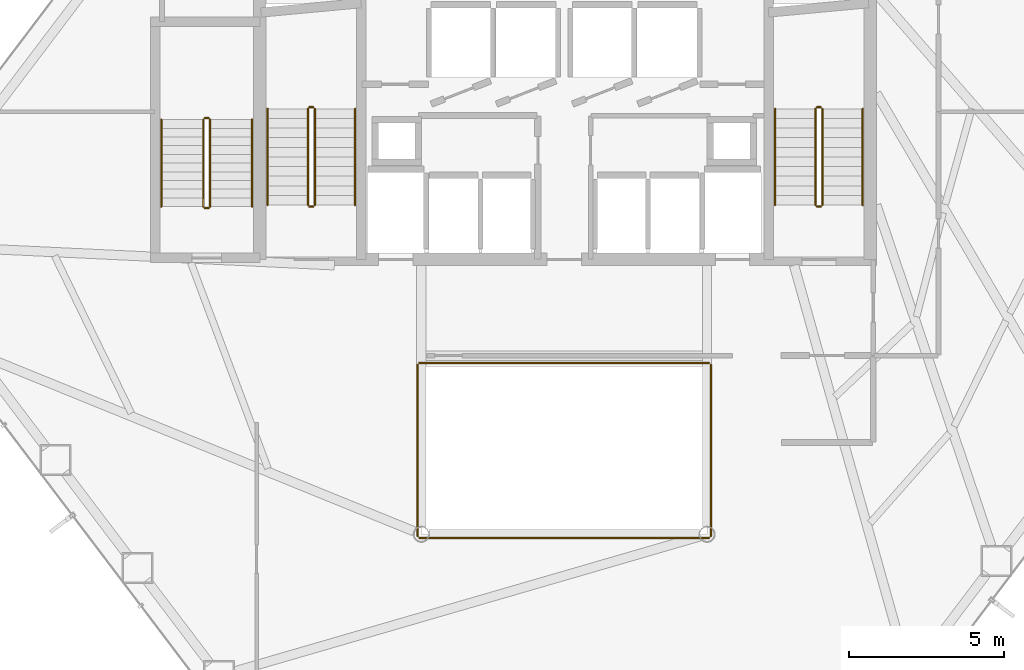
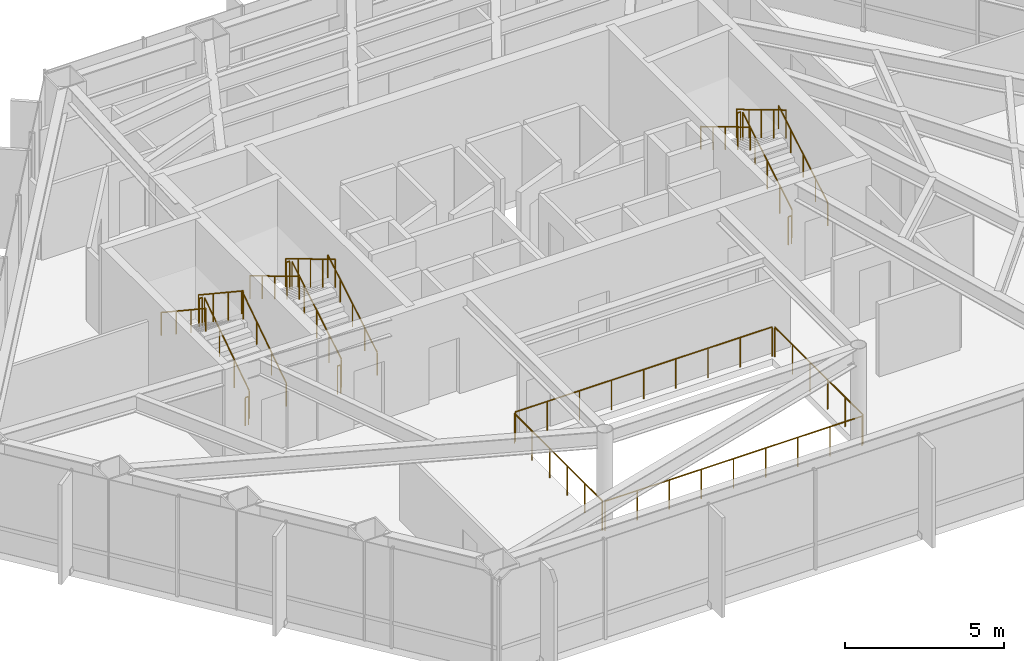
# One storey, part 26 of 26: 22 railings.
"""IFC4 building model written with IfcOpenShell, lengths in metres."""

from ifc_helpers import new_model, si_unit, direction, frame, origin, origin_2d, place, context, subcontext, project, spatial, circle, extrude, material, type_object, element, save


model = new_model("IFC4")

# Units and contexts
model_context = context("Model", 3, precision=1e-05, world=origin(), true_north=direction((0.0, 1.0)))
body_context = subcontext(model_context, "Body", "Model", "MODEL_VIEW")
ifc_project = project(units=[si_unit("LENGTHUNIT", "METRE"), si_unit("AREAUNIT", "SQUARE_METRE"), si_unit("VOLUMEUNIT", "CUBIC_METRE"), si_unit("PLANEANGLEUNIT", "RADIAN"), si_unit("MASSUNIT", "GRAM", prefix="KILO")], contexts=[model_context])

# Site, building, storey
site_placement = place(None, origin())
site = spatial("IfcSite", under=ifc_project, at=site_placement, CompositionType="ELEMENT")
building_placement = place(site_placement, origin())
building = spatial("IfcBuilding", under=site, at=building_placement, Name="Zarrinselat Tower", CompositionType="ELEMENT")
storey_placement = place(building_placement, frame((0.0, 0.0, 27.5400390625)))
storey = spatial("IfcBuildingStorey", under=building, at=storey_placement, Name="L06", CompositionType="ELEMENT", Elevation=27.5400390625)

# Railings
ifc_material_1 = material(Name="Double Low-E Laminated Solar Glass", Category="glass")
railing_type_1 = type_object("IfcRailingType", Name="RLG-ATRIUM-BAL", PredefinedType="BALUSTRADE", material=ifc_material_1)
railing_1_placement = place(storey_placement, frame((33.739990234375, 24.280029296875, 0.0)))
element("IfcRailing", 1, at=railing_1_placement, inside=storey, type_object=railing_type_1, Name="L06 Atrium Void Glass Balustrade S", PredefinedType="BALUSTRADE", context=body_context, shape_type="SweptSolid", body=[
    extrude(circle(Radius=0.02392578125, at=origin_2d()), frame((0.0, 0.0, 1.1259765625), z_axis=(1.0, 0.0, 0.0), x_axis=(0.0, 1.0, 0.0)), (0.0, 0.0, 1.0), 9.320068359375),
    extrude(circle(Radius=0.02099609375, at=origin_2d()), origin(), (0.0, 0.0, 1.0), 1.099853515625),
    extrude(circle(Radius=0.02099609375, at=origin_2d()), frame((1.1650390625, 0.0, 0.0)), (0.0, 0.0, 1.0), 1.099853515625),
    extrude(circle(Radius=0.02099609375, at=origin_2d()), frame((2.330078125, 0.0, 0.0)), (0.0, 0.0, 1.0), 1.099853515625),
    extrude(circle(Radius=0.02099609375, at=origin_2d()), frame((3.4951171875, 0.0, 0.0)), (0.0, 0.0, 1.0), 1.099853515625),
    extrude(circle(Radius=0.02099609375, at=origin_2d()), frame((4.66015625, 0.0, 0.0)), (0.0, 0.0, 1.0), 1.099853515625),
    extrude(circle(Radius=0.02099609375, at=origin_2d()), frame((5.824951171875, 0.0, 0.0)), (0.0, 0.0, 1.0), 1.099853515625),
    extrude(circle(Radius=0.02099609375, at=origin_2d()), frame((6.989990234375, 0.0, 0.0)), (0.0, 0.0, 1.0), 1.099853515625),
    extrude(circle(Radius=0.02099609375, at=origin_2d()), frame((8.155029296875, 0.0, 0.0)), (0.0, 0.0, 1.0), 1.099853515625),
    extrude(circle(Radius=0.02099609375, at=origin_2d()), frame((9.320068359375, 0.0, 0.0)), (0.0, 0.0, 1.0), 1.099853515625),
])
railing_2_placement = place(storey_placement, frame((43.1201171875, 24.340087890625, 0.0)))
element("IfcRailing", 2, at=railing_2_placement, inside=storey, type_object=railing_type_1, Name="L06 Atrium Void Glass Balustrade E", PredefinedType="BALUSTRADE", context=body_context, shape_type="SweptSolid", body=[
    extrude(circle(Radius=0.02392578125, at=origin_2d()), frame((0.0, 0.0, 1.1259765625), z_axis=(0.0, 1.0, 0.0), x_axis=(-1.0, 0.0, 0.0)), (0.0, 0.0, 1.0), 5.52001953125),
    extrude(circle(Radius=0.02099609375, at=origin_2d()), origin(), (0.0, 0.0, 1.0), 1.099853515625),
    extrude(circle(Radius=0.02099609375, at=origin_2d()), frame((0.0, 1.10400390625, 0.0)), (0.0, 0.0, 1.0), 1.099853515625),
    extrude(circle(Radius=0.02099609375, at=origin_2d()), frame((0.0, 2.2080078125, 0.0)), (0.0, 0.0, 1.0), 1.099853515625),
    extrude(circle(Radius=0.02099609375, at=origin_2d()), frame((0.0, 3.31201171875, 0.0)), (0.0, 0.0, 1.0), 1.099853515625),
    extrude(circle(Radius=0.02099609375, at=origin_2d()), frame((0.0, 4.416015625, 0.0)), (0.0, 0.0, 1.0), 1.099853515625),
    extrude(circle(Radius=0.02099609375, at=origin_2d()), frame((0.0, 5.52001953125, 0.0)), (0.0, 0.0, 1.0), 1.099853515625),
])
railing_3_placement = place(storey_placement, frame((43.06005859375, 29.919921875, 0.0)))
element("IfcRailing", 3, at=railing_3_placement, inside=storey, type_object=railing_type_1, Name="L06 Atrium Void Glass Balustrade N", PredefinedType="BALUSTRADE", context=body_context, shape_type="SweptSolid", body=[
    extrude(circle(Radius=0.02392578125, at=origin_2d()), frame((0.0, 0.0, 1.1259765625), z_axis=(-1.0, 0.0, 0.0), x_axis=(0.0, -1.0, 0.0)), (0.0, 0.0, 1.0), 9.320068359375),
    extrude(circle(Radius=0.02099609375, at=origin_2d()), origin(), (0.0, 0.0, 1.0), 1.099853515625),
    extrude(circle(Radius=0.02099609375, at=origin_2d()), frame((-1.1650390625, 0.0, 0.0)), (0.0, 0.0, 1.0), 1.099853515625),
    extrude(circle(Radius=0.02099609375, at=origin_2d()), frame((-2.330078125, 0.0, 0.0)), (0.0, 0.0, 1.0), 1.099853515625),
    extrude(circle(Radius=0.02099609375, at=origin_2d()), frame((-3.4951171875, 0.0, 0.0)), (0.0, 0.0, 1.0), 1.099853515625),
    extrude(circle(Radius=0.02099609375, at=origin_2d()), frame((-4.66015625, 0.0, 0.0)), (0.0, 0.0, 1.0), 1.099853515625),
    extrude(circle(Radius=0.02099609375, at=origin_2d()), frame((-5.824951171875, 0.0, 0.0)), (0.0, 0.0, 1.0), 1.099853515625),
    extrude(circle(Radius=0.02099609375, at=origin_2d()), frame((-6.989990234375, 0.0, 0.0)), (0.0, 0.0, 1.0), 1.099853515625),
    extrude(circle(Radius=0.02099609375, at=origin_2d()), frame((-8.155029296875, 0.0, 0.0)), (0.0, 0.0, 1.0), 1.099853515625),
    extrude(circle(Radius=0.02099609375, at=origin_2d()), frame((-9.320068359375, 0.0, 0.0)), (0.0, 0.0, 1.0), 1.099853515625),
])
railing_4_placement = place(storey_placement, frame((33.679931640625, 29.860107421875, 0.0)))
element("IfcRailing", 4, at=railing_4_placement, inside=storey, type_object=railing_type_1, Name="L06 Atrium Void Glass Balustrade W", PredefinedType="BALUSTRADE", context=body_context, shape_type="SweptSolid", body=[
    extrude(circle(Radius=0.02392578125, at=origin_2d()), frame((0.0, 0.0, 1.1259765625), z_axis=(0.0, -1.0, 0.0), x_axis=(1.0, 0.0, 0.0)), (0.0, 0.0, 1.0), 5.52001953125),
    extrude(circle(Radius=0.02099609375, at=origin_2d()), origin(), (0.0, 0.0, 1.0), 1.099853515625),
    extrude(circle(Radius=0.02099609375, at=origin_2d()), frame((0.0, -1.10400390625, 0.0)), (0.0, 0.0, 1.0), 1.099853515625),
    extrude(circle(Radius=0.02099609375, at=origin_2d()), frame((0.0, -2.2080078125, 0.0)), (0.0, 0.0, 1.0), 1.099853515625),
    extrude(circle(Radius=0.02099609375, at=origin_2d()), frame((0.0, -3.31201171875, 0.0)), (0.0, 0.0, 1.0), 1.099853515625),
    extrude(circle(Radius=0.02099609375, at=origin_2d()), frame((0.0, -4.416015625, 0.0)), (0.0, 0.0, 1.0), 1.099853515625),
    extrude(circle(Radius=0.02099609375, at=origin_2d()), frame((0.0, -5.52001953125, 0.0)), (0.0, 0.0, 1.0), 1.099853515625),
])
ifc_material_2 = material(Name="Steel S355J2", Category="steel")
railing_type_2 = type_object("IfcRailingType", Name="RLG-STAIR-GUARD", PredefinedType="GUARDRAIL", material=ifc_material_2)
railing_5_placement = place(storey_placement, frame((30.3701171875, 35.0, 0.185302734375)))
element("IfcRailing", 5, at=railing_5_placement, inside=storey, type_object=railing_type_2, Name="L06 ST-1 stair guard 1", PredefinedType="GUARDRAIL", context=body_context, shape_type="SweptSolid", body=[
    extrude(circle(Radius=0.02392578125, at=origin_2d()), frame((0.0, 0.0, 1.076171875), z_axis=(0.0, 0.858142210651, 0.513412062869), x_axis=(-1.0, 0.0, 0.0)), (0.0, 0.0, 1.0), 3.612548828125),
    extrude(circle(Radius=0.02099609375, at=origin_2d()), origin(), (0.0, 0.0, 1.0), 1.050048828125),
    extrude(circle(Radius=0.02099609375, at=origin_2d()), frame((0.0, 0.77490234375, 0.463623046875)), (0.0, 0.0, 1.0), 1.050048828125),
    extrude(circle(Radius=0.02099609375, at=origin_2d()), frame((0.0, 1.550048828125, 0.92724609375)), (0.0, 0.0, 1.0), 1.050048828125),
    extrude(circle(Radius=0.02099609375, at=origin_2d()), frame((0.0, 2.3251953125, 1.39111328125)), (0.0, 0.0, 1.0), 1.050048828125),
    extrude(circle(Radius=0.02099609375, at=origin_2d()), frame((0.0, 3.10009765625, 1.854736328125)), (0.0, 0.0, 1.0), 1.050048828125),
])
railing_6_placement = place(storey_placement, frame((30.320068359375, 38.14990234375, 2.0400390625)))
element("IfcRailing", 6, at=railing_6_placement, inside=storey, type_object=railing_type_2, Name="L06 ST-1 stair guard 2", PredefinedType="GUARDRAIL", context=body_context, shape_type="SweptSolid", body=[
    extrude(circle(Radius=0.02392578125, at=origin_2d()), frame((0.0, 0.0, 1.076171875), z_axis=(-1.0, 0.0, 0.0), x_axis=(0.0, -1.0, 0.0)), (0.0, 0.0, 1.0), 0.1201171875),
    extrude(circle(Radius=0.02099609375, at=origin_2d()), origin(), (0.0, 0.0, 1.0), 1.050048828125),
    extrude(circle(Radius=0.02099609375, at=origin_2d()), frame((-0.1201171875, 0.0, 0.0)), (0.0, 0.0, 1.0), 1.050048828125),
])
railing_7_placement = place(storey_placement, frame((30.14990234375, 38.10009765625, 2.225341796875)))
element("IfcRailing", 7, at=railing_7_placement, inside=storey, type_object=railing_type_2, Name="L06 ST-1 stair guard 3", PredefinedType="GUARDRAIL", context=body_context, shape_type="SweptSolid", body=[
    extrude(circle(Radius=0.02392578125, at=origin_2d()), frame((0.0, 0.0, 1.076171875), z_axis=(0.0, -0.858142210651, 0.513412062869), x_axis=(1.0, 0.0, 0.0)), (0.0, 0.0, 1.0), 3.612548828125),
    extrude(circle(Radius=0.02099609375, at=origin_2d()), origin(), (0.0, 0.0, 1.0), 1.050048828125),
    extrude(circle(Radius=0.02099609375, at=origin_2d()), frame((0.0, -0.77490234375, 0.463623046875)), (0.0, 0.0, 1.0), 1.050048828125),
    extrude(circle(Radius=0.02099609375, at=origin_2d()), frame((0.0, -1.550048828125, 0.92724609375)), (0.0, 0.0, 1.0), 1.050048828125),
    extrude(circle(Radius=0.02099609375, at=origin_2d()), frame((0.0, -2.3251953125, 1.39111328125)), (0.0, 0.0, 1.0), 1.050048828125),
    extrude(circle(Radius=0.02099609375, at=origin_2d()), frame((0.0, -3.10009765625, 1.854736328125)), (0.0, 0.0, 1.0), 1.050048828125),
])
railing_8_placement = place(storey_placement, frame((30.320068359375, 34.949951171875, 0.0)))
element("IfcRailing", 8, at=railing_8_placement, inside=storey, type_object=railing_type_2, Name="L06 ST-1 stair guard 4", PredefinedType="GUARDRAIL", context=body_context, shape_type="SweptSolid", body=[
    extrude(circle(Radius=0.02392578125, at=origin_2d()), frame((0.0, 0.0, 1.076171875), z_axis=(-1.0, 0.0, 0.0), x_axis=(0.0, -1.0, 0.0)), (0.0, 0.0, 1.0), 0.1201171875),
    extrude(circle(Radius=0.02099609375, at=origin_2d()), origin(), (0.0, 0.0, 1.0), 1.050048828125),
    extrude(circle(Radius=0.02099609375, at=origin_2d()), frame((-0.1201171875, 0.0, 0.0)), (0.0, 0.0, 1.0), 1.050048828125),
])
railing_9_placement = place(storey_placement, frame((46.7099609375, 35.0, 0.185302734375)))
element("IfcRailing", 9, at=railing_9_placement, inside=storey, type_object=railing_type_2, Name="L06 ST-2 stair guard 1", PredefinedType="GUARDRAIL", context=body_context, shape_type="SweptSolid", body=[
    extrude(circle(Radius=0.02392578125, at=origin_2d()), frame((0.0, 0.0, 1.076171875), z_axis=(0.0, 0.858142210651, 0.513412062869), x_axis=(-1.0, 0.0, 0.0)), (0.0, 0.0, 1.0), 3.612548828125),
    extrude(circle(Radius=0.02099609375, at=origin_2d()), origin(), (0.0, 0.0, 1.0), 1.050048828125),
    extrude(circle(Radius=0.02099609375, at=origin_2d()), frame((0.0, 0.77490234375, 0.463623046875)), (0.0, 0.0, 1.0), 1.050048828125),
    extrude(circle(Radius=0.02099609375, at=origin_2d()), frame((0.0, 1.550048828125, 0.92724609375)), (0.0, 0.0, 1.0), 1.050048828125),
    extrude(circle(Radius=0.02099609375, at=origin_2d()), frame((0.0, 2.3251953125, 1.39111328125)), (0.0, 0.0, 1.0), 1.050048828125),
    extrude(circle(Radius=0.02099609375, at=origin_2d()), frame((0.0, 3.10009765625, 1.854736328125)), (0.0, 0.0, 1.0), 1.050048828125),
])
railing_10_placement = place(storey_placement, frame((46.659912109375, 38.14990234375, 2.0400390625)))
element("IfcRailing", 10, at=railing_10_placement, inside=storey, type_object=railing_type_2, Name="L06 ST-2 stair guard 2", PredefinedType="GUARDRAIL", context=body_context, shape_type="SweptSolid", body=[
    extrude(circle(Radius=0.02392578125, at=origin_2d()), frame((0.0, 0.0, 1.076171875), z_axis=(-1.0, 0.0, 0.0), x_axis=(0.0, -1.0, 0.0)), (0.0, 0.0, 1.0), 0.119873046875),
    extrude(circle(Radius=0.02099609375, at=origin_2d()), origin(), (0.0, 0.0, 1.0), 1.050048828125),
    extrude(circle(Radius=0.02099609375, at=origin_2d()), frame((-0.119873046875, 0.0, 0.0)), (0.0, 0.0, 1.0), 1.050048828125),
])
railing_11_placement = place(storey_placement, frame((46.489990234375, 38.10009765625, 2.225341796875)))
element("IfcRailing", 11, at=railing_11_placement, inside=storey, type_object=railing_type_2, Name="L06 ST-2 stair guard 3", PredefinedType="GUARDRAIL", context=body_context, shape_type="SweptSolid", body=[
    extrude(circle(Radius=0.02392578125, at=origin_2d()), frame((0.0, 0.0, 1.076171875), z_axis=(0.0, -0.858142210651, 0.513412062869), x_axis=(1.0, 0.0, 0.0)), (0.0, 0.0, 1.0), 3.612548828125),
    extrude(circle(Radius=0.02099609375, at=origin_2d()), origin(), (0.0, 0.0, 1.0), 1.050048828125),
    extrude(circle(Radius=0.02099609375, at=origin_2d()), frame((0.0, -0.77490234375, 0.463623046875)), (0.0, 0.0, 1.0), 1.050048828125),
    extrude(circle(Radius=0.02099609375, at=origin_2d()), frame((0.0, -1.550048828125, 0.92724609375)), (0.0, 0.0, 1.0), 1.050048828125),
    extrude(circle(Radius=0.02099609375, at=origin_2d()), frame((0.0, -2.3251953125, 1.39111328125)), (0.0, 0.0, 1.0), 1.050048828125),
    extrude(circle(Radius=0.02099609375, at=origin_2d()), frame((0.0, -3.10009765625, 1.854736328125)), (0.0, 0.0, 1.0), 1.050048828125),
])
railing_12_placement = place(storey_placement, frame((46.659912109375, 34.949951171875, 0.0)))
element("IfcRailing", 12, at=railing_12_placement, inside=storey, type_object=railing_type_2, Name="L06 ST-2 stair guard 4", PredefinedType="GUARDRAIL", context=body_context, shape_type="SweptSolid", body=[
    extrude(circle(Radius=0.02392578125, at=origin_2d()), frame((0.0, 0.0, 1.076171875), z_axis=(-1.0, 0.0, 0.0), x_axis=(0.0, -1.0, 0.0)), (0.0, 0.0, 1.0), 0.119873046875),
    extrude(circle(Radius=0.02099609375, at=origin_2d()), origin(), (0.0, 0.0, 1.0), 1.050048828125),
    extrude(circle(Radius=0.02099609375, at=origin_2d()), frame((-0.119873046875, 0.0, 0.0)), (0.0, 0.0, 1.0), 1.050048828125),
])
railing_13_placement = place(storey_placement, frame((27.0, 34.949951171875, 0.185302734375)))
element("IfcRailing", 13, at=railing_13_placement, inside=storey, type_object=railing_type_2, Name="L06 ST-3 stair guard 1", PredefinedType="GUARDRAIL", context=body_context, shape_type="SweptSolid", body=[
    extrude(circle(Radius=0.02392578125, at=origin_2d()), frame((0.0, 0.0, 1.076171875), z_axis=(0.0, 0.833690570297, 0.55223186525), x_axis=(-1.0, 0.0, 0.0)), (0.0, 0.0, 1.0), 3.358642578125),
    extrude(circle(Radius=0.02099609375, at=origin_2d()), origin(), (0.0, 0.0, 1.0), 1.050048828125),
    extrude(circle(Radius=0.02099609375, at=origin_2d()), frame((0.0, 0.933349609375, 0.6181640625)), (0.0, 0.0, 1.0), 1.050048828125),
    extrude(circle(Radius=0.02099609375, at=origin_2d()), frame((0.0, 1.86669921875, 1.236572265625)), (0.0, 0.0, 1.0), 1.050048828125),
    extrude(circle(Radius=0.02099609375, at=origin_2d()), frame((0.0, 2.800048828125, 1.854736328125)), (0.0, 0.0, 1.0), 1.050048828125),
])
railing_14_placement = place(storey_placement, frame((26.949951171875, 37.800048828125, 2.0400390625)))
element("IfcRailing", 14, at=railing_14_placement, inside=storey, type_object=railing_type_2, Name="L06 ST-3 stair guard 2", PredefinedType="GUARDRAIL", context=body_context, shape_type="SweptSolid", body=[
    extrude(circle(Radius=0.02392578125, at=origin_2d()), frame((0.0, 0.0, 1.076171875), z_axis=(-1.0, 0.0, 0.0), x_axis=(0.0, -1.0, 0.0)), (0.0, 0.0, 1.0), 0.119873046875),
    extrude(circle(Radius=0.02099609375, at=origin_2d()), origin(), (0.0, 0.0, 1.0), 1.050048828125),
    extrude(circle(Radius=0.02099609375, at=origin_2d()), frame((-0.119873046875, 0.0, 0.0)), (0.0, 0.0, 1.0), 1.050048828125),
])
railing_15_placement = place(storey_placement, frame((26.780029296875, 37.75, 2.225341796875)))
element("IfcRailing", 15, at=railing_15_placement, inside=storey, type_object=railing_type_2, Name="L06 ST-3 stair guard 3", PredefinedType="GUARDRAIL", context=body_context, shape_type="SweptSolid", body=[
    extrude(circle(Radius=0.02392578125, at=origin_2d()), frame((0.0, 0.0, 1.076171875), z_axis=(0.0, -0.833690570297, 0.55223186525), x_axis=(1.0, 0.0, 0.0)), (0.0, 0.0, 1.0), 3.358642578125),
    extrude(circle(Radius=0.02099609375, at=origin_2d()), origin(), (0.0, 0.0, 1.0), 1.050048828125),
    extrude(circle(Radius=0.02099609375, at=origin_2d()), frame((0.0, -0.933349609375, 0.6181640625)), (0.0, 0.0, 1.0), 1.050048828125),
    extrude(circle(Radius=0.02099609375, at=origin_2d()), frame((0.0, -1.86669921875, 1.236572265625)), (0.0, 0.0, 1.0), 1.050048828125),
    extrude(circle(Radius=0.02099609375, at=origin_2d()), frame((0.0, -2.800048828125, 1.854736328125)), (0.0, 0.0, 1.0), 1.050048828125),
])
railing_16_placement = place(storey_placement, frame((26.949951171875, 34.89990234375, 0.0)))
element("IfcRailing", 16, at=railing_16_placement, inside=storey, type_object=railing_type_2, Name="L06 ST-3 stair guard 4", PredefinedType="GUARDRAIL", context=body_context, shape_type="SweptSolid", body=[
    extrude(circle(Radius=0.02392578125, at=origin_2d()), frame((0.0, 0.0, 1.076171875), z_axis=(-1.0, 0.0, 0.0), x_axis=(0.0, -1.0, 0.0)), (0.0, 0.0, 1.0), 0.119873046875),
    extrude(circle(Radius=0.02099609375, at=origin_2d()), origin(), (0.0, 0.0, 1.0), 1.050048828125),
    extrude(circle(Radius=0.02099609375, at=origin_2d()), frame((-0.119873046875, 0.0, 0.0)), (0.0, 0.0, 1.0), 1.050048828125),
])
ifc_material_3 = material(Name="Steel S355J2", Category="steel")
railing_type_3 = type_object("IfcRailingType", Name="RLG-STAIR-HAND", PredefinedType="HANDRAIL", material=ifc_material_3)
railing_17_placement = place(storey_placement, frame((31.669921875, 35.0, 0.185302734375)))
element("IfcRailing", 17, at=railing_17_placement, inside=storey, type_object=railing_type_3, Name="L06 ST-1 stair handrail 1", PredefinedType="HANDRAIL", context=body_context, shape_type="SweptSolid", body=[
    extrude(circle(Radius=0.02392578125, at=origin_2d()), frame((0.0, 0.0, 0.8759765625), z_axis=(0.0, 0.858142210651, 0.513412062869), x_axis=(-1.0, 0.0, 0.0)), (0.0, 0.0, 1.0), 3.612548828125),
    extrude(circle(Radius=0.02099609375, at=origin_2d()), origin(), (0.0, 0.0, 1.0), 0.849853515625),
    extrude(circle(Radius=0.02099609375, at=origin_2d()), frame((0.0, 0.77490234375, 0.463623046875)), (0.0, 0.0, 1.0), 0.849853515625),
    extrude(circle(Radius=0.02099609375, at=origin_2d()), frame((0.0, 1.550048828125, 0.92724609375)), (0.0, 0.0, 1.0), 0.849853515625),
    extrude(circle(Radius=0.02099609375, at=origin_2d()), frame((0.0, 2.3251953125, 1.39111328125)), (0.0, 0.0, 1.0), 0.849853515625),
    extrude(circle(Radius=0.02099609375, at=origin_2d()), frame((0.0, 3.10009765625, 1.854736328125)), (0.0, 0.0, 1.0), 0.849853515625),
])
railing_18_placement = place(storey_placement, frame((28.85009765625, 38.10009765625, 2.225341796875)))
element("IfcRailing", 18, at=railing_18_placement, inside=storey, type_object=railing_type_3, Name="L06 ST-1 stair handrail 2", PredefinedType="HANDRAIL", context=body_context, shape_type="SweptSolid", body=[
    extrude(circle(Radius=0.02392578125, at=origin_2d()), frame((0.0, 0.0, 0.8759765625), z_axis=(0.0, -0.858142210651, 0.513412062869), x_axis=(1.0, 0.0, 0.0)), (0.0, 0.0, 1.0), 3.612548828125),
    extrude(circle(Radius=0.02099609375, at=origin_2d()), origin(), (0.0, 0.0, 1.0), 0.849853515625),
    extrude(circle(Radius=0.02099609375, at=origin_2d()), frame((0.0, -0.77490234375, 0.463623046875)), (0.0, 0.0, 1.0), 0.849853515625),
    extrude(circle(Radius=0.02099609375, at=origin_2d()), frame((0.0, -1.550048828125, 0.92724609375)), (0.0, 0.0, 1.0), 0.849853515625),
    extrude(circle(Radius=0.02099609375, at=origin_2d()), frame((0.0, -2.3251953125, 1.39111328125)), (0.0, 0.0, 1.0), 0.849853515625),
    extrude(circle(Radius=0.02099609375, at=origin_2d()), frame((0.0, -3.10009765625, 1.854736328125)), (0.0, 0.0, 1.0), 0.849853515625),
])
railing_19_placement = place(storey_placement, frame((48.010009765625, 35.0, 0.185302734375)))
element("IfcRailing", 19, at=railing_19_placement, inside=storey, type_object=railing_type_3, Name="L06 ST-2 stair handrail 1", PredefinedType="HANDRAIL", context=body_context, shape_type="SweptSolid", body=[
    extrude(circle(Radius=0.02392578125, at=origin_2d()), frame((0.0, 0.0, 0.8759765625), z_axis=(0.0, 0.858142210651, 0.513412062869), x_axis=(-1.0, 0.0, 0.0)), (0.0, 0.0, 1.0), 3.612548828125),
    extrude(circle(Radius=0.02099609375, at=origin_2d()), origin(), (0.0, 0.0, 1.0), 0.849853515625),
    extrude(circle(Radius=0.02099609375, at=origin_2d()), frame((0.0, 0.77490234375, 0.463623046875)), (0.0, 0.0, 1.0), 0.849853515625),
    extrude(circle(Radius=0.02099609375, at=origin_2d()), frame((0.0, 1.550048828125, 0.92724609375)), (0.0, 0.0, 1.0), 0.849853515625),
    extrude(circle(Radius=0.02099609375, at=origin_2d()), frame((0.0, 2.3251953125, 1.39111328125)), (0.0, 0.0, 1.0), 0.849853515625),
    extrude(circle(Radius=0.02099609375, at=origin_2d()), frame((0.0, 3.10009765625, 1.854736328125)), (0.0, 0.0, 1.0), 0.849853515625),
])
railing_20_placement = place(storey_placement, frame((45.18994140625, 38.10009765625, 2.225341796875)))
element("IfcRailing", 20, at=railing_20_placement, inside=storey, type_object=railing_type_3, Name="L06 ST-2 stair handrail 2", PredefinedType="HANDRAIL", context=body_context, shape_type="SweptSolid", body=[
    extrude(circle(Radius=0.02392578125, at=origin_2d()), frame((0.0, 0.0, 0.8759765625), z_axis=(0.0, -0.858142210651, 0.513412062869), x_axis=(1.0, 0.0, 0.0)), (0.0, 0.0, 1.0), 3.612548828125),
    extrude(circle(Radius=0.02099609375, at=origin_2d()), origin(), (0.0, 0.0, 1.0), 0.849853515625),
    extrude(circle(Radius=0.02099609375, at=origin_2d()), frame((0.0, -0.77490234375, 0.463623046875)), (0.0, 0.0, 1.0), 0.849853515625),
    extrude(circle(Radius=0.02099609375, at=origin_2d()), frame((0.0, -1.550048828125, 0.92724609375)), (0.0, 0.0, 1.0), 0.849853515625),
    extrude(circle(Radius=0.02099609375, at=origin_2d()), frame((0.0, -2.3251953125, 1.39111328125)), (0.0, 0.0, 1.0), 0.849853515625),
    extrude(circle(Radius=0.02099609375, at=origin_2d()), frame((0.0, -3.10009765625, 1.854736328125)), (0.0, 0.0, 1.0), 0.849853515625),
])
railing_21_placement = place(storey_placement, frame((28.35009765625, 34.949951171875, 0.185302734375)))
element("IfcRailing", 21, at=railing_21_placement, inside=storey, type_object=railing_type_3, Name="L06 ST-3 stair handrail 1", PredefinedType="HANDRAIL", context=body_context, shape_type="SweptSolid", body=[
    extrude(circle(Radius=0.02392578125, at=origin_2d()), frame((0.0, 0.0, 0.8759765625), z_axis=(0.0, 0.833690570297, 0.55223186525), x_axis=(-1.0, 0.0, 0.0)), (0.0, 0.0, 1.0), 3.358642578125),
    extrude(circle(Radius=0.02099609375, at=origin_2d()), origin(), (0.0, 0.0, 1.0), 0.849853515625),
    extrude(circle(Radius=0.02099609375, at=origin_2d()), frame((0.0, 0.933349609375, 0.6181640625)), (0.0, 0.0, 1.0), 0.849853515625),
    extrude(circle(Radius=0.02099609375, at=origin_2d()), frame((0.0, 1.86669921875, 1.236572265625)), (0.0, 0.0, 1.0), 0.849853515625),
    extrude(circle(Radius=0.02099609375, at=origin_2d()), frame((0.0, 2.800048828125, 1.854736328125)), (0.0, 0.0, 1.0), 0.849853515625),
])
railing_22_placement = place(storey_placement, frame((25.429931640625, 37.75, 2.225341796875)))
element("IfcRailing", 22, at=railing_22_placement, inside=storey, type_object=railing_type_3, Name="L06 ST-3 stair handrail 2", PredefinedType="HANDRAIL", context=body_context, shape_type="SweptSolid", body=[
    extrude(circle(Radius=0.02392578125, at=origin_2d()), frame((0.0, 0.0, 0.8759765625), z_axis=(0.0, -0.833690570297, 0.55223186525), x_axis=(1.0, 0.0, 0.0)), (0.0, 0.0, 1.0), 3.358642578125),
    extrude(circle(Radius=0.02099609375, at=origin_2d()), origin(), (0.0, 0.0, 1.0), 0.849853515625),
    extrude(circle(Radius=0.02099609375, at=origin_2d()), frame((0.0, -0.933349609375, 0.6181640625)), (0.0, 0.0, 1.0), 0.849853515625),
    extrude(circle(Radius=0.02099609375, at=origin_2d()), frame((0.0, -1.86669921875, 1.236572265625)), (0.0, 0.0, 1.0), 0.849853515625),
    extrude(circle(Radius=0.02099609375, at=origin_2d()), frame((0.0, -2.800048828125, 1.854736328125)), (0.0, 0.0, 1.0), 0.849853515625),
])

save(model, "model.ifc")
